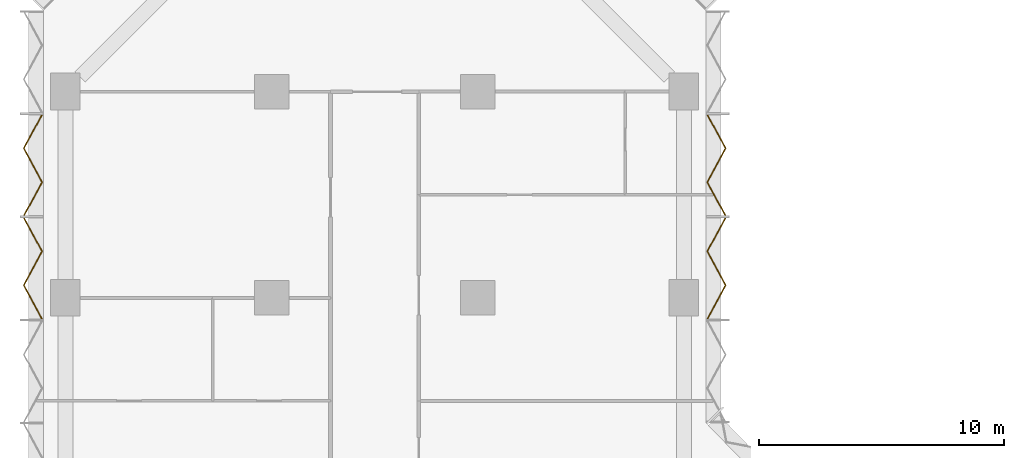
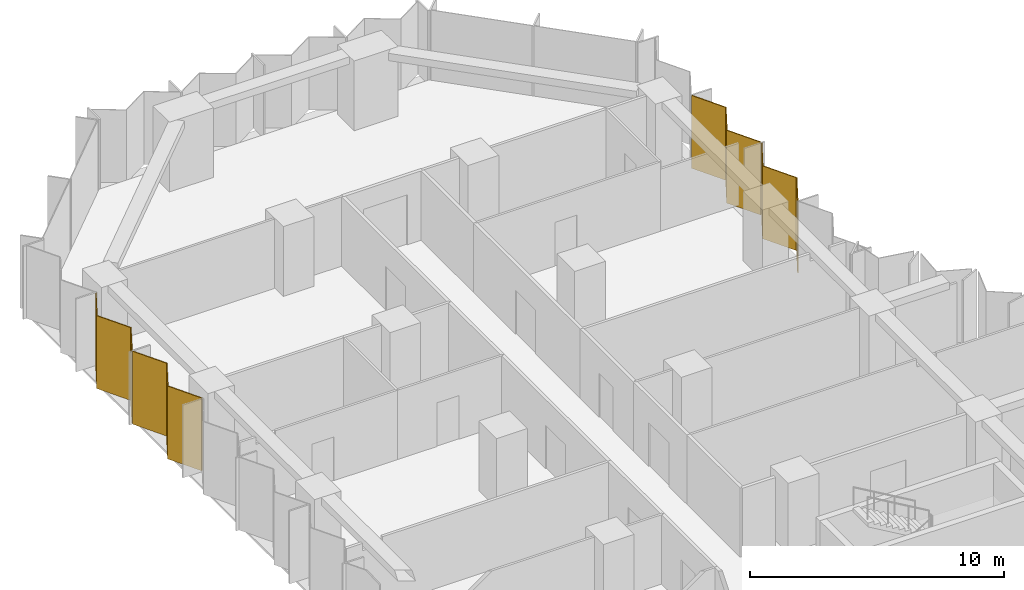
# One storey, part 15 of 15: 4 coverings, 2 elements without a shape of their own.
"""IFC4 building model written with IfcOpenShell, lengths in metres."""

from ifc_helpers import new_model, si_unit, direction, frame, origin, place, context, subcontext, project, spatial, polyline, outline, extrude, material, layer, layer_set, type_object, element, aggregate, save


model = new_model("IFC4")

# Units and contexts
model_context = context("Model", 3, precision=1e-05, world=origin(), true_north=direction((0.0, 1.0)))
body_context = subcontext(model_context, "Body", "Model", "MODEL_VIEW")
ifc_project = project(units=[si_unit("LENGTHUNIT", "METRE"), si_unit("AREAUNIT", "SQUARE_METRE"), si_unit("VOLUMEUNIT", "CUBIC_METRE"), si_unit("PLANEANGLEUNIT", "RADIAN"), si_unit("MASSUNIT", "GRAM", prefix="KILO")], contexts=[model_context])

# Site, building, storey
site_placement = place(None, origin())
site = spatial("IfcSite", under=ifc_project, at=site_placement, CompositionType="ELEMENT")
building_placement = place(site_placement, origin())
building = spatial("IfcBuilding", under=site, at=building_placement, Name="Brevane Broadcast Tower", CompositionType="ELEMENT")
storey_placement = place(building_placement, frame((0.0, 0.0, 50.89990234375)))
storey = spatial("IfcBuildingStorey", under=building, at=storey_placement, Name="L10", CompositionType="ELEMENT", Elevation=50.89990234375)

# Curtain wall, coverings
ifc_material_1 = material(Name="Aluminium 6063-T6 bronze anodised", Category="aluminium")
curtain_wall_type = type_object("IfcCurtainWallType", Name="CW-1 curtain wall", PredefinedType="NOTDEFINED", material=ifc_material_1)
curtain_wall_1_placement = place(storey_placement, origin())
curtain_wall_1 = element("IfcCurtainWall", 1, at=curtain_wall_1_placement, inside=storey, type_object=curtain_wall_type, Name="CW-1 typical tilted unit L10 north arm east face", PredefinedType="NOTDEFINED")
ifc_material_2 = material(Name="Back-painted bronze glass shadow-box", Category="glass")
ifc_layer = layer(ifc_material_2, 0.0400390625)
ifc_layer_set = layer_set([ifc_layer], Name="Shadow-box panel 40")
covering_type = type_object("IfcCoveringType", Name="Shadow-box panel 40", PredefinedType="CLADDING", material=ifc_layer_set)
covering_1_placement = place(storey_placement, frame((0.0, 0.0, -0.14990234375)))
covering_1 = element("IfcCovering", 2, at=covering_1_placement, type_object=covering_type, Name="Shadow-box panel", PredefinedType="CLADDING", context=body_context, shape_type="SweptSolid", body=[
    extrude(outline(polyline([(26.127197265625, 49.534912109375), (26.172607421875, 49.534912109375), (26.9169921875, 50.91162109375), (26.172607421875, 52.288330078125), (26.9169921875, 53.6650390625), (26.87158203125, 53.6650390625), (26.127197265625, 52.288330078125), (26.87158203125, 50.91162109375), (26.127197265625, 49.534912109375)])), origin(), (0.0, 0.0, 1.0), 3.5),
])
covering_2_placement = place(storey_placement, frame((0.0, 0.0, -0.14990234375)))
covering_2 = element("IfcCovering", 3, at=covering_2_placement, type_object=covering_type, Name="Shadow-box panel", PredefinedType="CLADDING", context=body_context, shape_type="SweptSolid", body=[
    extrude(outline(polyline([(26.87158203125, 53.735107421875), (26.9169921875, 53.735107421875), (26.172607421875, 55.11181640625), (26.9169921875, 56.48828125), (26.172607421875, 57.864990234375), (26.127197265625, 57.864990234375), (26.87158203125, 56.48828125), (26.127197265625, 55.11181640625), (26.87158203125, 53.735107421875)])), origin(), (0.0, 0.0, 1.0), 3.5),
])
aggregate(curtain_wall_1, [covering_1, covering_2])

curtain_wall_2_placement = place(storey_placement, origin())
curtain_wall_2 = element("IfcCurtainWall", 4, at=curtain_wall_2_placement, inside=storey, type_object=curtain_wall_type, Name="CW-1 typical tilted unit L10 west face", PredefinedType="NOTDEFINED")
covering_3_placement = place(storey_placement, frame((0.0, 0.0, -0.14990234375)))
covering_3 = element("IfcCovering", 5, at=covering_3_placement, type_object=covering_type, Name="Shadow-box panel", PredefinedType="CLADDING", context=body_context, shape_type="SweptSolid", body=[
    extrude(outline(polyline([(-0.92724609375, 57.864990234375), (-0.97265625, 57.864990234375), (-1.717041015625, 56.48828125), (-0.97265625, 55.11181640625), (-1.717041015625, 53.735107421875), (-1.671630859375, 53.735107421875), (-0.92724609375, 55.11181640625), (-1.671630859375, 56.48828125), (-0.92724609375, 57.864990234375)])), origin(), (0.0, 0.0, 1.0), 3.5),
])
covering_4_placement = place(storey_placement, frame((0.0, 0.0, -0.14990234375)))
covering_4 = element("IfcCovering", 6, at=covering_4_placement, type_object=covering_type, Name="Shadow-box panel", PredefinedType="CLADDING", context=body_context, shape_type="SweptSolid", body=[
    extrude(outline(polyline([(-1.671630859375, 53.6650390625), (-1.717041015625, 53.6650390625), (-0.97265625, 52.288330078125), (-1.717041015625, 50.91162109375), (-0.97265625, 49.534912109375), (-0.92724609375, 49.534912109375), (-1.671630859375, 50.91162109375), (-0.92724609375, 52.288330078125), (-1.671630859375, 53.6650390625)])), origin(), (0.0, 0.0, 1.0), 3.5),
])
aggregate(curtain_wall_2, [covering_3, covering_4])

save(model, "model.ifc")
